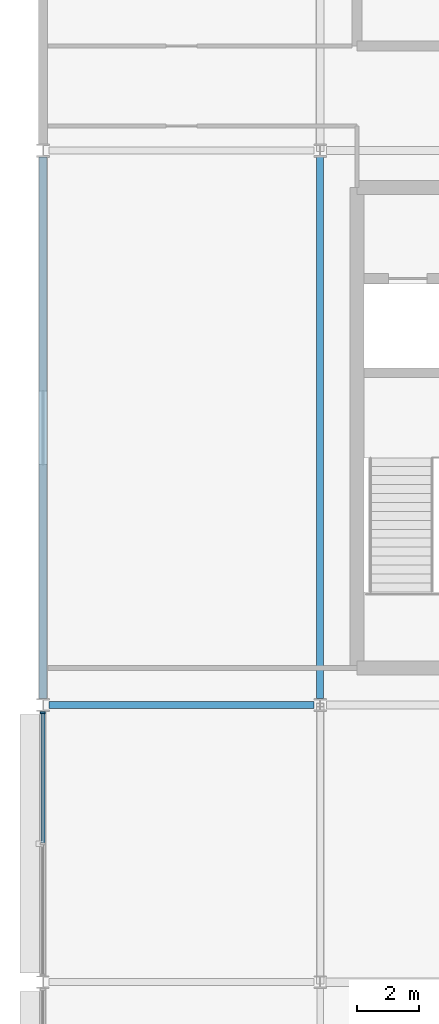
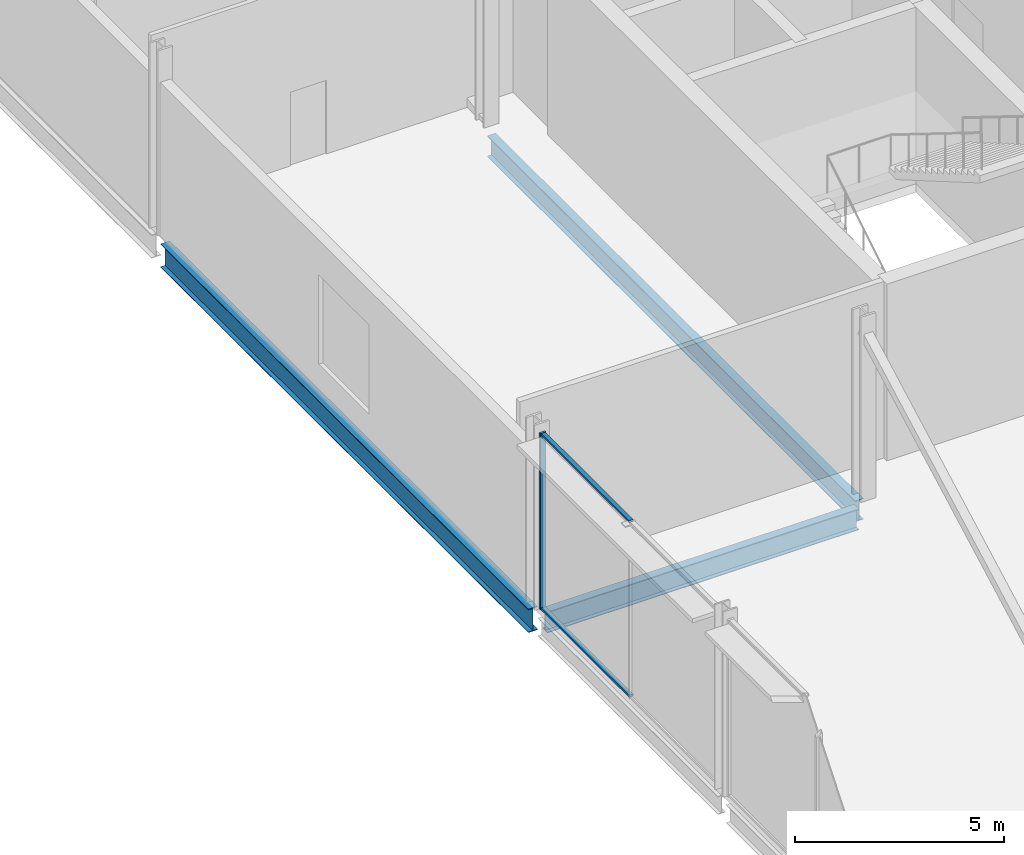
# One storey, part 13 of 113: 3 beams, 3 members, 1 element without a shape of its own.
"""IFC4 building model written with IfcOpenShell, lengths in metres."""

from ifc_helpers import new_model, si_unit, direction, frame, origin, origin_2d, place, context, subcontext, project, spatial, rectangle, i_section, extrude, material, layer, layer_set, material_profile, profile_set, type_object, element, aggregate, save


model = new_model("IFC4")

# Units and contexts
model_context = context("Model", 3, precision=1e-05, world=origin(), true_north=direction((0.0, 1.0)))
body_context = subcontext(model_context, "Body", "Model", "MODEL_VIEW")
ifc_project = project(units=[si_unit("LENGTHUNIT", "METRE"), si_unit("AREAUNIT", "SQUARE_METRE"), si_unit("VOLUMEUNIT", "CUBIC_METRE"), si_unit("PLANEANGLEUNIT", "RADIAN"), si_unit("MASSUNIT", "GRAM", prefix="KILO")], contexts=[model_context])

# Site, building, storey
site_placement = place(None, origin())
site = spatial("IfcSite", under=ifc_project, at=site_placement, CompositionType="ELEMENT")
building_placement = place(site_placement, origin())
building = spatial("IfcBuilding", under=site, at=building_placement, Name="Kisiwana Market Hall", CompositionType="ELEMENT")
storey_placement = place(building_placement, frame((0.0, 0.0, 6.0)))
storey = spatial("IfcBuildingStorey", under=building, at=storey_placement, Name="L01", CompositionType="ELEMENT", Elevation=6.0)

# Beams
ifc_material_1 = material(Name="Steel S355", Category="steel")
ifc_material_profile_1 = material_profile(ifc_material_1, i_section(OverallWidth=0.22900390625, OverallDepth=0.6123046875, WebThickness=0.011962890625, FlangeThickness=0.01953125, at=origin_2d()), Name="UB 610x229x125")
ifc_profile_set_1 = profile_set([ifc_material_profile_1], Name="Steel S355")
beam_type_1 = type_object("IfcBeamType", Name="BM-GIRD-UB610H", PredefinedType="BEAM", material=ifc_profile_set_1)
beam_1_placement = place(storey_placement, frame((0.201904296875, 18.0, -0.55615234375), z_axis=(1.0, 0.0, 0.0), x_axis=(0.0, 1.0, 0.0)))
element("IfcBeam", 1, at=beam_1_placement, inside=storey, type_object=beam_type_1, Name="Floor beam B-0471", PredefinedType="BEAM", context=body_context, shape_type="SweptSolid", body=[
    extrude(i_section(OverallWidth=0.22900390625, OverallDepth=0.6123046875, WebThickness=0.011962890625, FlangeThickness=0.01953125, at=origin_2d()), origin(), (0.0, 0.0, 1.0), 8.59619140625),
])
beam_2_placement = place(storey_placement, frame((9.0, 18.21337890625, -0.55615234375), z_axis=(0.0, 1.0, 0.0), x_axis=(-1.0, 0.0, 0.0)))
element("IfcBeam", 2, at=beam_2_placement, inside=storey, type_object=beam_type_1, Name="Primary girder B-0333", PredefinedType="BEAM", context=body_context, shape_type="SweptSolid", body=[
    extrude(i_section(OverallWidth=0.22900390625, OverallDepth=0.6123046875, WebThickness=0.011962890625, FlangeThickness=0.01953125, at=origin_2d()), origin(), (0.0, 0.0, 1.0), 17.5732421875),
])
ifc_material_2 = material(Name="Steel S355", Category="steel")
ifc_material_profile_2 = material_profile(ifc_material_2, i_section(OverallWidth=0.253662109375, OverallDepth=0.68359375, WebThickness=0.012451171875, FlangeThickness=0.01904296875, at=origin_2d()), Name="UB 686x254x140")
ifc_profile_set_2 = profile_set([ifc_material_profile_2], Name="Steel S355")
beam_type_2 = type_object("IfcBeamType", Name="BM-GIRD-UB686", PredefinedType="BEAM", material=ifc_profile_set_2)
beam_3_placement = place(storey_placement, frame((0.0, 18.21337890625, -0.591796875), z_axis=(0.0, 1.0, 0.0), x_axis=(-1.0, 0.0, 0.0)))
element("IfcBeam", 3, at=beam_3_placement, inside=storey, type_object=beam_type_2, Name="Floor beam B-0557", PredefinedType="BEAM", context=body_context, shape_type="SweptSolid", body=[
    extrude(i_section(OverallWidth=0.253662109375, OverallDepth=0.68359375, WebThickness=0.012451171875, FlangeThickness=0.01904296875, at=origin_2d()), origin(), (0.0, 0.0, 1.0), 17.5732421875),
])

# Curtain wall, members
ifc_material_3 = material(Name="Double-glazed solar-control low-E IGU", Category="glass")
ifc_layer = layer(ifc_material_3, 0.159912109375)
ifc_layer_set = layer_set([ifc_layer], Name="CW-FC-S-7600")
curtain_wall_type = type_object("IfcCurtainWallType", Name="CW-FC-S-7600", PredefinedType="USERDEFINED", material=ifc_layer_set)
curtain_wall_placement = place(storey_placement, origin())
curtain_wall = element("IfcCurtainWall", 4, at=curtain_wall_placement, inside=storey, type_object=curtain_wall_type, Name="Unitised curtain wall CW-046 (L01)", ObjectType="UNITISED CURTAIN WALL", PredefinedType="USERDEFINED")
ifc_material_4 = material(Name="Aluminium alloy 6063-T6", Category="aluminium")
ifc_material_profile_3 = material_profile(ifc_material_4, rectangle(XDim=0.06005859375, YDim=0.159912109375, at=origin_2d()), Name="ALU MULLION 60x160")
ifc_profile_set_3 = profile_set([ifc_material_profile_3], Name="Aluminium alloy 6063-T6")
member_type_1 = type_object("IfcMemberType", Name="CW-MULL-60x160", PredefinedType="MULLION", material=ifc_profile_set_3)
member_1_placement = place(storey_placement, frame((0.0, 17.75244140625, 0.0), z_axis=(0.0, 0.0, 1.0), x_axis=(0.0, 1.0, 0.0)))
member_1 = element("IfcMember", 5, at=member_1_placement, type_object=member_type_1, Name="CW-046 mullion 3", PredefinedType="MULLION", context=body_context, shape_type="SweptSolid", body=[
    extrude(rectangle(XDim=0.06005859375, YDim=0.159912109375, at=origin_2d()), origin(), (0.0, 0.0, 1.0), 5.14990234375),
])
ifc_material_5 = material(Name="Aluminium alloy 6063-T6", Category="aluminium")
ifc_material_profile_4 = material_profile(ifc_material_5, rectangle(XDim=0.1201171875, YDim=0.06005859375, at=origin_2d()), Name="ALU TRANSOM 60x120")
ifc_profile_set_4 = profile_set([ifc_material_profile_4], Name="Aluminium alloy 6063-T6")
member_type_2 = type_object("IfcMemberType", Name="CW-TRAN-60x120", PredefinedType="USERDEFINED", material=ifc_profile_set_4)
member_2_placement = place(storey_placement, frame((0.0, 13.52294921875, 0.030029296875), z_axis=(0.0, 1.0, 0.0), x_axis=(-1.0, 0.0, 0.0)))
member_2 = element("IfcMember", 6, at=member_2_placement, type_object=member_type_2, Name="CW-046 transom 2.1", ObjectType="TRANSOM", PredefinedType="USERDEFINED", context=body_context, shape_type="SweptSolid", body=[
    extrude(rectangle(XDim=0.1201171875, YDim=0.06005859375, at=origin_2d()), origin(), (0.0, 0.0, 1.0), 4.199462890625),
])
member_3_placement = place(storey_placement, frame((0.0, 13.52294921875, 5.1201171875), z_axis=(0.0, 1.0, 0.0), x_axis=(-1.0, 0.0, 0.0)))
member_3 = element("IfcMember", 7, at=member_3_placement, type_object=member_type_2, Name="CW-046 transom 2.2", ObjectType="TRANSOM", PredefinedType="USERDEFINED", context=body_context, shape_type="SweptSolid", body=[
    extrude(rectangle(XDim=0.1201171875, YDim=0.06005859375, at=origin_2d()), origin(), (0.0, 0.0, 1.0), 4.199462890625),
])
aggregate(curtain_wall, [member_1, member_2, member_3])

save(model, "model.ifc")
